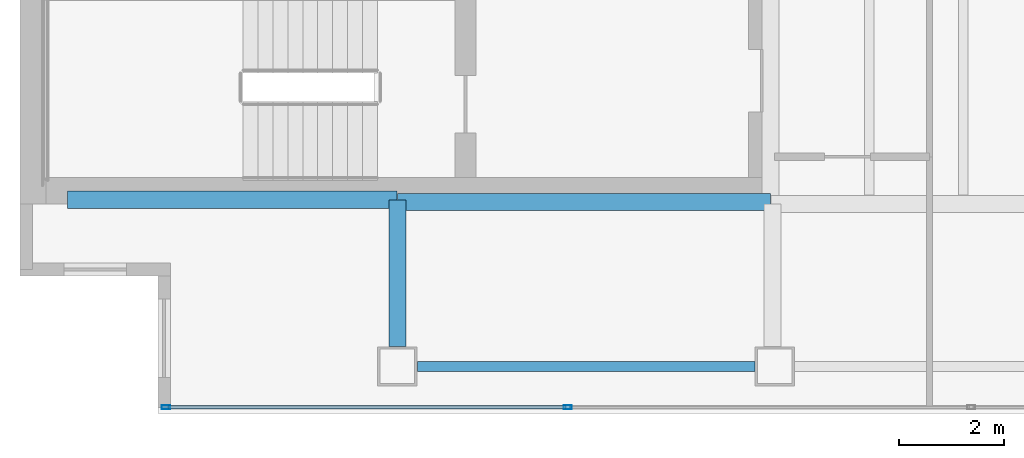
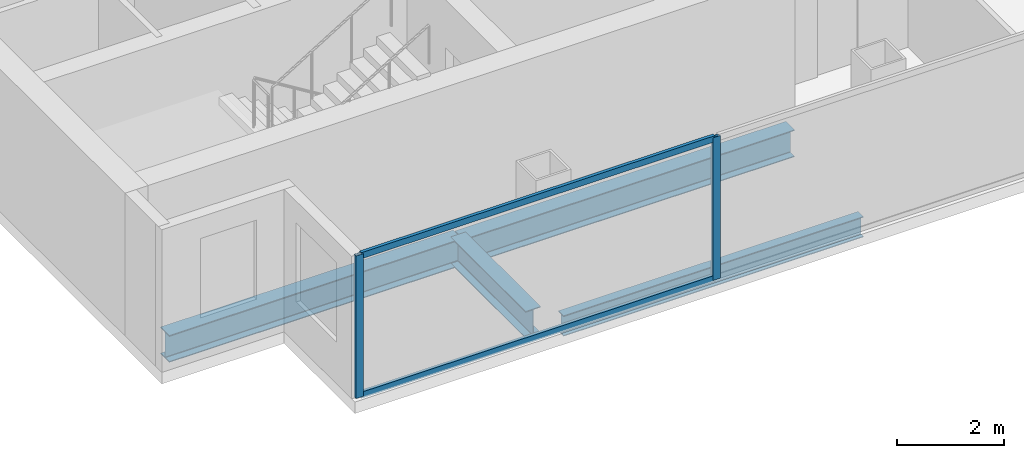
# One storey, part 2 of 23: 4 beams, 4 members, 1 element without a shape of its own.
"""IFC4 building model written with IfcOpenShell, lengths in metres."""

from ifc_helpers import new_model, si_unit, direction, frame, origin, origin_2d, place, context, subcontext, project, spatial, hollow_rectangle, i_section, extrude, material, material_profile, profile_set, type_object, element, aggregate, save


model = new_model("IFC4")

# Units and contexts
model_context = context("Model", 3, precision=1e-05, world=origin(), true_north=direction((0.0, 1.0)))
body_context = subcontext(model_context, "Body", "Model", "MODEL_VIEW")
ifc_project = project(units=[si_unit("LENGTHUNIT", "METRE"), si_unit("AREAUNIT", "SQUARE_METRE"), si_unit("VOLUMEUNIT", "CUBIC_METRE"), si_unit("PLANEANGLEUNIT", "RADIAN"), si_unit("MASSUNIT", "GRAM", prefix="KILO")], contexts=[model_context])

# Site, building, storey
site_placement = place(None, origin())
site = spatial("IfcSite", under=ifc_project, at=site_placement, CompositionType="ELEMENT")
building_placement = place(site_placement, origin())
building = spatial("IfcBuilding", under=site, at=building_placement, Name="Cobrela Telecom Tower", CompositionType="ELEMENT")
storey_placement = place(building_placement, frame((0.0, 0.0, 211.75)))
storey = spatial("IfcBuildingStorey", under=building, at=storey_placement, Name="L54", CompositionType="ELEMENT", Elevation=211.75)

# Beams
ifc_material_1 = material(Name="Steel ASTM A992 Grade 50", Category="steel")
ifc_material_profile_1 = material_profile(ifc_material_1, i_section(OverallWidth=0.324951171875, OverallDepth=0.612060546875, WebThickness=0.0126953125, FlangeThickness=0.01904296875, FilletRadius=0.014892578125, at=origin_2d()), Name="W24X104")
ifc_profile_set_1 = profile_set([ifc_material_profile_1], Name="Steel ASTM A992 Grade 50")
beam_type_1 = type_object("IfcBeamType", Name="BM-GIRD-07", PredefinedType="USERDEFINED", material=ifc_profile_set_1)
beam_1_placement = place(storey_placement, frame((0.905029296875, 7.280029296875, -0.56591796875), z_axis=(1.0, 0.0, 0.0), x_axis=(0.0, 1.0, 0.0)))
element("IfcBeam", 1, at=beam_1_placement, inside=storey, type_object=beam_type_1, Name="L54 Primary Girder X05", ObjectType="GIRDER", PredefinedType="USERDEFINED", context=body_context, shape_type="SweptSolid", body=[
    extrude(i_section(OverallWidth=0.324951171875, OverallDepth=0.612060546875, WebThickness=0.0126953125, FlangeThickness=0.01904296875, FilletRadius=0.014892578125, at=origin_2d()), origin(), (0.0, 0.0, 1.0), 6.2900390625),
])
beam_2_placement = place(storey_placement, frame((7.205078125, 7.239990234375, -0.56591796875), z_axis=(1.0, 0.0, 0.0), x_axis=(0.0, 1.0, 0.0)))
element("IfcBeam", 2, at=beam_2_placement, inside=storey, type_object=beam_type_1, Name="L54 Primary Girder X06", ObjectType="GIRDER", PredefinedType="USERDEFINED", context=body_context, shape_type="SweptSolid", body=[
    extrude(i_section(OverallWidth=0.324951171875, OverallDepth=0.612060546875, WebThickness=0.0126953125, FlangeThickness=0.01904296875, FilletRadius=0.014892578125, at=origin_2d()), origin(), (0.0, 0.0, 1.0), 7.10986328125),
])
beam_3_placement = place(storey_placement, frame((7.199951171875, 4.47998046875, -0.56591796875), z_axis=(0.0, 1.0, 0.0), x_axis=(-1.0, 0.0, 0.0)))
element("IfcBeam", 3, at=beam_3_placement, inside=storey, type_object=beam_type_1, Name="L54 Primary Girder Y24", ObjectType="GIRDER", PredefinedType="USERDEFINED", context=body_context, shape_type="SweptSolid", body=[
    extrude(i_section(OverallWidth=0.324951171875, OverallDepth=0.612060546875, WebThickness=0.0126953125, FlangeThickness=0.01904296875, FilletRadius=0.014892578125, at=origin_2d()), origin(), (0.0, 0.0, 1.0), 2.794921875),
])
ifc_material_profile_2 = material_profile(ifc_material_1, i_section(OverallWidth=0.193115234375, OverallDepth=0.467041015625, WebThickness=0.011474609375, FlangeThickness=0.01904296875, FilletRadius=0.012939453125, at=origin_2d()), Name="W18X65")
ifc_profile_set_2 = profile_set([ifc_material_profile_2], Name="Steel ASTM A992 Grade 50")
beam_type_2 = type_object("IfcBeamType", Name="BM-SPAND-05", PredefinedType="SPANDREL", material=ifc_profile_set_2)
beam_4_placement = place(storey_placement, frame((7.580078125, 4.10009765625, -0.493408203125), z_axis=(1.0, 0.0, 0.0), x_axis=(0.0, 1.0, 0.0)))
element("IfcBeam", 4, at=beam_4_placement, inside=storey, type_object=beam_type_2, Name="L54 Perimeter Spandrel X01", PredefinedType="SPANDREL", context=body_context, shape_type="SweptSolid", body=[
    extrude(i_section(OverallWidth=0.193115234375, OverallDepth=0.467041015625, WebThickness=0.011474609375, FlangeThickness=0.01904296875, FilletRadius=0.012939453125, at=origin_2d()), origin(), (0.0, 0.0, 1.0), 6.43994140625),
])

# Curtain wall, members
ifc_material_2 = material(Name="Anodized Bronze Aluminium 6063-T6", Category="aluminium")
curtain_wall_type = type_object("IfcCurtainWallType", Name="CW-SYS-OFF-LO", PredefinedType="USERDEFINED", material=ifc_material_2)
curtain_wall_placement = place(storey_placement, origin())
curtain_wall = element("IfcCurtainWall", 5, at=curtain_wall_placement, inside=storey, type_object=curtain_wall_type, Name="L54 Unitised Bronze Curtain Wall 17", ObjectType="UNITISED CURTAIN WALL", PredefinedType="USERDEFINED")
ifc_material_profile_3 = material_profile(ifc_material_2, hollow_rectangle(XDim=0.070068359375, YDim=0.159912109375, WallThickness=0.00390625, at=origin_2d()), Name="ALU 70x160x4")
ifc_profile_set_3 = profile_set([ifc_material_profile_3], Name="Anodized Bronze Aluminium 6063-T6")
member_type_1 = type_object("IfcMemberType", Name="CW-SYS-OFF-LO-MUL", PredefinedType="MULLION", material=ifc_profile_set_3)
member_1_placement = place(storey_placement, frame((10.449951171875, 3.320068359375, 0.0), z_axis=(0.0, 0.0, 1.0), x_axis=(0.0, -1.0, 0.0)))
member_1 = element("IfcMember", 6, at=member_1_placement, type_object=member_type_1, Name="CW-OFF-LO mullion 5", PredefinedType="MULLION", context=body_context, shape_type="SweptSolid", body=[
    extrude(hollow_rectangle(XDim=0.070068359375, YDim=0.159912109375, WallThickness=0.00390625, at=origin_2d()), origin(), (0.0, 0.0, 1.0), 3.239990234375),
])
member_2_placement = place(storey_placement, frame((2.784912109375, 3.320068359375, 0.0), z_axis=(0.0, 0.0, 1.0), x_axis=(0.0, -1.0, 0.0)))
member_2 = element("IfcMember", 7, at=member_2_placement, type_object=member_type_1, Name="CW-OFF-LO mullion 6", PredefinedType="MULLION", context=body_context, shape_type="SweptSolid", body=[
    extrude(hollow_rectangle(XDim=0.070068359375, YDim=0.159912109375, WallThickness=0.00390625, at=origin_2d()), origin(), (0.0, 0.0, 1.0), 3.239990234375),
])
ifc_material_profile_4 = material_profile(ifc_material_2, hollow_rectangle(XDim=0.070068359375, YDim=0.139892578125, WallThickness=0.00390625, at=origin_2d()), Name="ALU 70x140x4")
ifc_profile_set_4 = profile_set([ifc_material_profile_4], Name="Anodized Bronze Aluminium 6063-T6")
member_type_2 = type_object("IfcMemberType", Name="CW-SYS-OFF-LO-TRN", PredefinedType="USERDEFINED", material=ifc_profile_set_4)
member_3_placement = place(storey_placement, frame((10.4150390625, 3.320068359375, 0.034912109375), z_axis=(-1.0, 0.0, 0.0), x_axis=(0.0, -1.0, 0.0)))
member_3 = element("IfcMember", 8, at=member_3_placement, type_object=member_type_2, Name="CW-OFF-LO transom 5.1", ObjectType="TRANSOM", PredefinedType="USERDEFINED", context=body_context, shape_type="SweptSolid", body=[
    extrude(hollow_rectangle(XDim=0.070068359375, YDim=0.139892578125, WallThickness=0.00390625, at=origin_2d()), origin(), (0.0, 0.0, 1.0), 7.594970703125),
])
member_4_placement = place(storey_placement, frame((10.4150390625, 3.320068359375, 3.205078125), z_axis=(-1.0, 0.0, 0.0), x_axis=(0.0, -1.0, 0.0)))
member_4 = element("IfcMember", 9, at=member_4_placement, type_object=member_type_2, Name="CW-OFF-LO transom 5.2", ObjectType="TRANSOM", PredefinedType="USERDEFINED", context=body_context, shape_type="SweptSolid", body=[
    extrude(hollow_rectangle(XDim=0.070068359375, YDim=0.139892578125, WallThickness=0.00390625, at=origin_2d()), origin(), (0.0, 0.0, 1.0), 7.594970703125),
])
aggregate(curtain_wall, [member_1, member_2, member_3, member_4])

save(model, "model.ifc")
